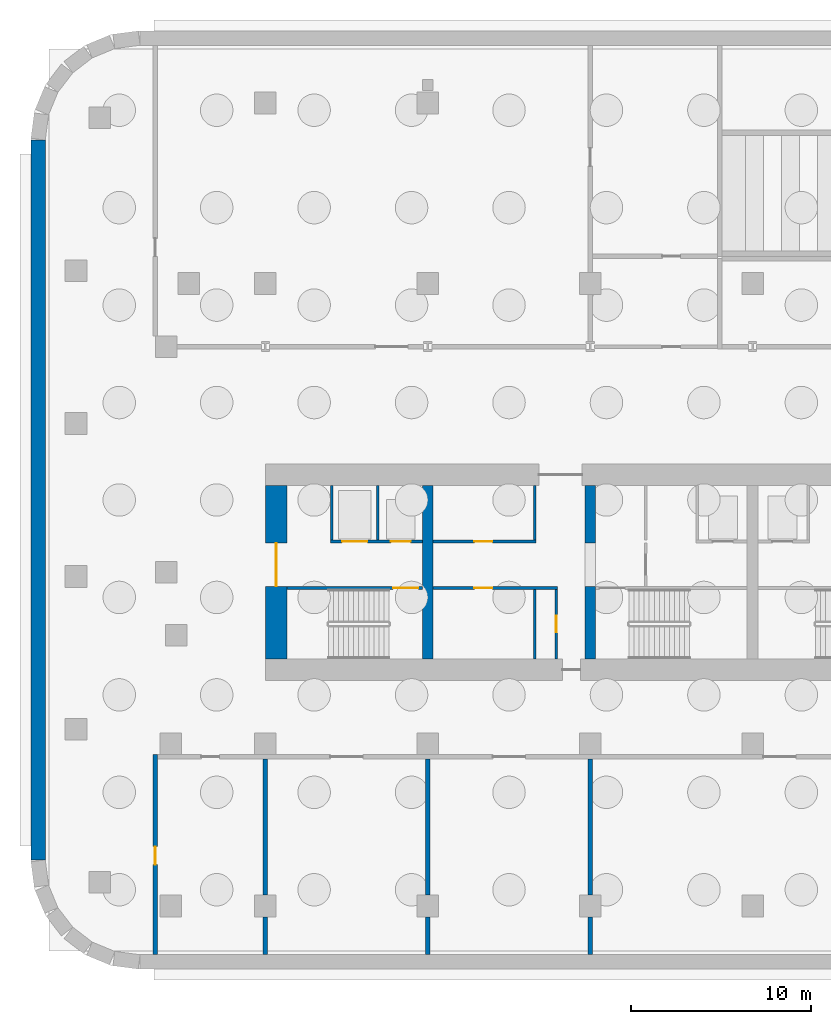
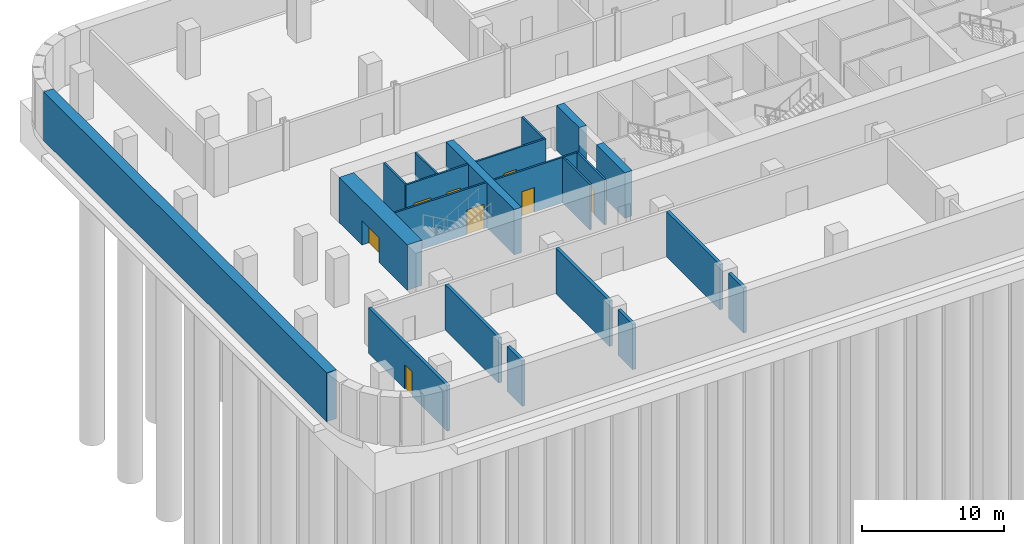
# One storey, part 3 of 8: 21 walls, 8 doors, 8 openings.
"""IFC4 building model written with IfcOpenShell, lengths in metres."""

from ifc_helpers import new_model, si_unit, direction, frame, frame_2d, origin, place, context, subcontext, project, spatial, rectangle, extrude, material, layer, layer_set, type_object, element, fill, save


model = new_model("IFC4")

# Units and contexts
model_context = context("Model", 3, precision=1e-05, world=origin(), true_north=direction((0.0, 1.0)))
body_context = subcontext(model_context, "Body", "Model", "MODEL_VIEW")
ifc_project = project(units=[si_unit("LENGTHUNIT", "METRE"), si_unit("AREAUNIT", "SQUARE_METRE"), si_unit("VOLUMEUNIT", "CUBIC_METRE"), si_unit("PLANEANGLEUNIT", "RADIAN"), si_unit("MASSUNIT", "GRAM", prefix="KILO")], contexts=[model_context])

# Site, building, storey
site_placement = place(None, origin())
site = spatial("IfcSite", under=ifc_project, at=site_placement, CompositionType="ELEMENT")
building_placement = place(site_placement, origin())
building = spatial("IfcBuilding", under=site, at=building_placement, Name="Zellij Exchange Tower", CompositionType="ELEMENT")
storey_placement = place(building_placement, frame((0.0, 0.0, -12.60009765625)))
storey = spatial("IfcBuildingStorey", under=building, at=storey_placement, Name="B3", CompositionType="ELEMENT", Elevation=-12.60009765625)

# Wall, opening, door
ifc_material_1 = material(Name="Concrete C32/40", Category="concrete")
ifc_layer_1 = layer(ifc_material_1, 0.25)
ifc_layer_set_1 = layer_set([ifc_layer_1], Name="Concrete C32/40")
wall_type_1 = type_object("IfcWallType", Name="BSM-Wall 250", PredefinedType="SOLIDWALL", material=ifc_layer_set_1)
wall_1_placement = place(storey_placement, frame((-33.10009765625, -29.199951171875, 0.0), z_axis=(0.0, 0.0, 1.0), x_axis=(0.0, 1.0, 0.0)))
wall_1 = element("IfcWall", 1, at=wall_1_placement, inside=storey, type_object=wall_type_1, Name="Partition 15", PredefinedType="SOLIDWALL", context=body_context, shape_type="SweptSolid", body=[
    extrude(rectangle(XDim=11.099853515625, YDim=0.25, at=frame_2d((5.5498046875, 0.0))), origin(), (0.0, 0.0, 1.0), 3.900146484375),
])
opening_1_placement = place(wall_1_placement, frame((4.987548828125, 0.0, 0.0)))
opening_1 = element("IfcOpeningElement", 2, at=opening_1_placement, cuts=wall_1, Name="Opening BS3.15", PredefinedType="OPENING", context=body_context, shape_type="SweptSolid", body=[
    extrude(rectangle(XDim=1.0, YDim=2.10009765625, at=frame_2d((0.5, 1.050048828125))), frame((0.0, 0.136962890625, 0.0), z_axis=(0.0, -1.0, 0.0), x_axis=(1.0, 0.0, 0.0)), (0.0, 0.0, 1.0), 0.27392578125),
])
ifc_material_2 = material(Name="Painted steel door leaf", Category="steel")
door_type_1 = type_object("IfcDoorType", Name="BSM-Door 1000x2100 FD90", OperationType="SINGLE_SWING_LEFT", PredefinedType="DOOR", material=ifc_material_2)
door_1_placement = place(opening_1_placement, origin())
door_1 = element("IfcDoor", 3, at=door_1_placement, inside=storey, type_object=door_type_1, Name="bsm.B3.door.BS3.15", OperationType="SINGLE_SWING_LEFT", OverallHeight=2.10009765625, OverallWidth=1.0, PredefinedType="DOOR", context=body_context, shape_type="SweptSolid", body=[
    extrude(rectangle(XDim=1.0, YDim=2.10009765625, at=frame_2d((0.5, 1.050048828125))), frame((0.0, 0.02490234375, 0.0), z_axis=(0.0, -1.0, 0.0), x_axis=(1.0, 0.0, 0.0)), (0.0, 0.0, 1.0), 0.050048828125),
])
fill(opening_1, door_1)

# Walls
wall_2_placement = place(storey_placement, frame((-27.0, -29.199951171875, 0.0), z_axis=(0.0, 0.0, 1.0), x_axis=(0.0, 1.0, 0.0)))
element("IfcWall", 4, at=wall_2_placement, inside=storey, type_object=wall_type_1, Name="Partition 17", PredefinedType="SOLIDWALL", context=body_context, shape_type="SweptSolid", body=[
    extrude(rectangle(XDim=2.099853515625, YDim=0.25, at=frame_2d((1.0498046875, 0.0))), origin(), (0.0, 0.0, 1.0), 3.900146484375),
])
wall_3_placement = place(storey_placement, frame((-27.0, -25.89990234375, 0.0), z_axis=(0.0, 0.0, 1.0), x_axis=(0.0, 1.0, 0.0)))
element("IfcWall", 5, at=wall_3_placement, inside=storey, type_object=wall_type_1, Name="Partition 18", PredefinedType="SOLIDWALL", context=body_context, shape_type="SweptSolid", body=[
    extrude(rectangle(XDim=7.5498046875, YDim=0.25, at=frame_2d((3.77490234375, 0.0))), origin(), (0.0, 0.0, 1.0), 3.900146484375),
])
wall_4_placement = place(storey_placement, frame((-18.0, -29.199951171875, 0.0), z_axis=(0.0, 0.0, 1.0), x_axis=(0.0, 1.0, 0.0)))
element("IfcWall", 6, at=wall_4_placement, inside=storey, type_object=wall_type_1, Name="Partition 19", PredefinedType="SOLIDWALL", context=body_context, shape_type="SweptSolid", body=[
    extrude(rectangle(XDim=2.099853515625, YDim=0.25, at=frame_2d((1.0498046875, 0.0))), origin(), (0.0, 0.0, 1.0), 3.900146484375),
])
wall_5_placement = place(storey_placement, frame((-18.0, -25.89990234375, 0.0), z_axis=(0.0, 0.0, 1.0), x_axis=(0.0, 1.0, 0.0)))
element("IfcWall", 7, at=wall_5_placement, inside=storey, type_object=wall_type_1, Name="Partition 20", PredefinedType="SOLIDWALL", context=body_context, shape_type="SweptSolid", body=[
    extrude(rectangle(XDim=7.5498046875, YDim=0.25, at=frame_2d((3.77490234375, 0.0))), origin(), (0.0, 0.0, 1.0), 3.900146484375),
])
wall_6_placement = place(storey_placement, frame((-9.0, -29.199951171875, 0.0), z_axis=(0.0, 0.0, 1.0), x_axis=(0.0, 1.0, 0.0)))
element("IfcWall", 8, at=wall_6_placement, inside=storey, type_object=wall_type_1, Name="Partition 21", PredefinedType="SOLIDWALL", context=body_context, shape_type="SweptSolid", body=[
    extrude(rectangle(XDim=2.099853515625, YDim=0.25, at=frame_2d((1.0498046875, 0.0))), origin(), (0.0, 0.0, 1.0), 3.900146484375),
])
wall_7_placement = place(storey_placement, frame((-9.0, -25.89990234375, 0.0), z_axis=(0.0, 0.0, 1.0), x_axis=(0.0, 1.0, 0.0)))
element("IfcWall", 9, at=wall_7_placement, inside=storey, type_object=wall_type_1, Name="Partition 22", PredefinedType="SOLIDWALL", context=body_context, shape_type="SweptSolid", body=[
    extrude(rectangle(XDim=7.5498046875, YDim=0.25, at=frame_2d((3.77490234375, 0.0))), origin(), (0.0, 0.0, 1.0), 3.900146484375),
])
ifc_material_3 = material(Name="Concrete C70/85", Category="concrete")
ifc_layer_2 = layer(ifc_material_3, 0.60009765625)
ifc_layer_set_2 = layer_set([ifc_layer_2], Name="Concrete C70/85")
wall_type_2 = type_object("IfcWallType", Name="CORE-CW 600 C70/85", PredefinedType="SHEAR", material=ifc_layer_set_2)
wall_8_placement = place(storey_placement, frame((-18.0, -12.800048828125, 0.0), z_axis=(0.0, 0.0, 1.0), x_axis=(0.0, 1.0, 0.0)))
element("IfcWall", 10, at=wall_8_placement, inside=storey, type_object=wall_type_2, Name="Core cross wall x -18 B3", PredefinedType="SHEAR", context=body_context, shape_type="SweptSolid", body=[
    extrude(rectangle(XDim=9.60009765625, YDim=0.60009765625, at=frame_2d((4.800048828125, 0.0))), origin(), (0.0, 0.0, 1.0), 3.900146484375),
])
wall_9_placement = place(storey_placement, frame((-9.0, -12.800048828125, 0.0), z_axis=(0.0, 0.0, 1.0), x_axis=(0.0, 1.0, 0.0)))
element("IfcWall", 11, at=wall_9_placement, inside=storey, type_object=wall_type_2, Name="Core cross wall pier x -9 a B3", PredefinedType="SHEAR", context=body_context, shape_type="SweptSolid", body=[
    extrude(rectangle(XDim=4.0, YDim=0.60009765625, at=frame_2d((2.0, 0.0))), origin(), (0.0, 0.0, 1.0), 3.900146484375),
])
wall_10_placement = place(storey_placement, frame((-9.0, -6.375, 0.0), z_axis=(0.0, 0.0, 1.0), x_axis=(0.0, 1.0, 0.0)))
element("IfcWall", 12, at=wall_10_placement, inside=storey, type_object=wall_type_2, Name="Core cross wall pier x -9 b B3", PredefinedType="SHEAR", context=body_context, shape_type="SweptSolid", body=[
    extrude(rectangle(XDim=3.175048828125, YDim=0.60009765625, at=frame_2d((1.58740234375, 0.0))), origin(), (0.0, 0.0, 1.0), 3.900146484375),
])
ifc_material_4 = material(Name="Gypsum shaft wall system")
ifc_layer_3 = layer(ifc_material_4, 0.14990234375)
ifc_layer_set_3 = layer_set([ifc_layer_3], Name="Gypsum shaft wall system")
wall_type_3 = type_object("IfcWallType", Name="CORE-PW 150 Lift shaft wall", PredefinedType="PARTITIONING", material=ifc_layer_set_3)
for number, where, z_axis, x_axis, name in (
    (13, (-20.77490234375, -6.22509765625, 0.0), (0.0, 0.0, 1.0), (0.0, 1.0, 0.0), "Lift shaft wall B3"),
    (14, (-23.324951171875, -6.22509765625, 0.0), (0.0, 0.0, 1.0), (0.0, 1.0, 0.0), "Lift shaft wall B3"),
):
    element("IfcWall", number, at=place(storey_placement, frame(where, z_axis=z_axis, x_axis=x_axis)), inside=storey, type_object=wall_type_3, Name=name, PredefinedType="PARTITIONING", context=body_context, shape_type="SweptSolid", body=[
        extrude(rectangle(XDim=3.025146484375, YDim=0.14990234375, at=frame_2d((1.5126953125, 0.0))), origin(), (0.0, 0.0, 1.0), 3.900146484375),
    ])

# Wall, openings, doors
wall_11_placement = place(storey_placement, frame((-23.39990234375, -6.300048828125, 0.0), z_axis=(0.0, 0.0, 1.0), x_axis=(1.0, 0.0, 0.0)))
wall_11 = element("IfcWall", 15, at=wall_11_placement, inside=storey, type_object=wall_type_3, Name="Lift shaft wall B3", PredefinedType="PARTITIONING", context=body_context, shape_type="SweptSolid", body=[
    extrude(rectangle(XDim=5.099853515625, YDim=0.14990234375, at=frame_2d((2.5498046875, 0.0))), origin(), (0.0, 0.0, 1.0), 3.900146484375),
])
opening_2_placement = place(wall_11_placement, frame((0.64990234375, 0.0, 0.0)))
opening_2 = element("IfcOpeningElement", 16, at=opening_2_placement, cuts=wall_11, Name="Opening CA-01.02", PredefinedType="OPENING", context=body_context, shape_type="SweptSolid", body=[
    extrude(rectangle(XDim=1.39990234375, YDim=2.10009765625, at=frame_2d((0.699951171875, 1.050048828125))), frame((0.0, 0.0869140625, 0.0), z_axis=(0.0, -1.0, 0.0), x_axis=(1.0, 0.0, 0.0)), (0.0, 0.0, 1.0), 0.173828125),
])
opening_3_placement = place(wall_11_placement, frame((3.35009765625, 0.0, 0.0)))
opening_3 = element("IfcOpeningElement", 17, at=opening_3_placement, cuts=wall_11, Name="Opening CA-01.03", PredefinedType="OPENING", context=body_context, shape_type="SweptSolid", body=[
    extrude(rectangle(XDim=1.10009765625, YDim=2.10009765625, at=frame_2d((0.550048828125, 1.050048828125))), frame((0.0, 0.0869140625, 0.0), z_axis=(0.0, -1.0, 0.0), x_axis=(1.0, 0.0, 0.0)), (0.0, 0.0, 1.0), 0.173828125),
])
ifc_material_5 = material(Name="Hollow metal fire door")
door_type_2 = type_object("IfcDoorType", Name="CORE-D LD Lift landing door 1100x2100 1.5 HR", OperationType="NOTDEFINED", PredefinedType="DOOR", material=ifc_material_5)
door_2_placement = place(opening_3_placement, origin())
door_2 = element("IfcDoor", 18, at=door_2_placement, inside=storey, type_object=door_type_2, Name="Lift landing door CA-01.03", OperationType="SLIDING_TO_LEFT", OverallHeight=2.10009765625, OverallWidth=1.10009765625, PredefinedType="DOOR", context=body_context, shape_type="SweptSolid", body=[
    extrude(rectangle(XDim=1.10009765625, YDim=2.10009765625, at=frame_2d((0.550048828125, 1.050048828125))), frame((0.0, 0.02490234375, 0.0), z_axis=(0.0, -1.0, 0.0), x_axis=(1.0, 0.0, 0.0)), (0.0, 0.0, 1.0), 0.050048828125),
])
fill(opening_3, door_2)
door_type_3 = type_object("IfcDoorType", Name="CORE-D LD2 Service lift landing door 1400x2100 1.5 HR", OperationType="NOTDEFINED", PredefinedType="DOOR", material=ifc_material_5)
door_3_placement = place(opening_2_placement, origin())
door_3 = element("IfcDoor", 19, at=door_3_placement, inside=storey, type_object=door_type_3, Name="Service lift landing door CA-01.02", OperationType="SLIDING_TO_RIGHT", OverallHeight=2.10009765625, OverallWidth=1.39990234375, PredefinedType="DOOR", context=body_context, shape_type="SweptSolid", body=[
    extrude(rectangle(XDim=1.39990234375, YDim=2.10009765625, at=frame_2d((0.699951171875, 1.050048828125))), frame((0.0, 0.02490234375, 0.0), z_axis=(0.0, -1.0, 0.0), x_axis=(1.0, 0.0, 0.0)), (0.0, 0.0, 1.0), 0.050048828125),
])
fill(opening_2, door_3)

# Wall
ifc_layer_4 = layer(ifc_material_4, 0.14990234375)
ifc_layer_set_4 = layer_set([ifc_layer_4], Name="Gypsum shaft wall system")
wall_type_4 = type_object("IfcWallType", Name="CORE-PW 150 Plant room wall", PredefinedType="PARTITIONING", material=ifc_layer_set_4)
wall_12_placement = place(storey_placement, frame((-12.074951171875, -6.22509765625, 0.0), z_axis=(0.0, 0.0, 1.0), x_axis=(0.0, 1.0, 0.0)))
element("IfcWall", 20, at=wall_12_placement, inside=storey, type_object=wall_type_4, Name="Plant room wall B3", PredefinedType="PARTITIONING", context=body_context, shape_type="SweptSolid", body=[
    extrude(rectangle(XDim=3.025146484375, YDim=0.14990234375, at=frame_2d((1.5126953125, 0.0))), origin(), (0.0, 0.0, 1.0), 3.900146484375),
])

# Wall, opening, door
wall_13_placement = place(storey_placement, frame((-10.875, -12.800048828125, 0.0), z_axis=(0.0, 0.0, 1.0), x_axis=(0.0, 1.0, 0.0)))
wall_13 = element("IfcWall", 21, at=wall_13_placement, inside=storey, type_object=wall_type_4, Name="Plant room wall B3", PredefinedType="PARTITIONING", context=body_context, shape_type="SweptSolid", body=[
    extrude(rectangle(XDim=3.85009765625, YDim=0.14990234375, at=frame_2d((1.925048828125, 0.0))), origin(), (0.0, 0.0, 1.0), 3.900146484375),
])
opening_4_placement = place(wall_13_placement, frame((1.47509765625, 0.0, 0.0)))
opening_4 = element("IfcOpeningElement", 22, at=opening_4_placement, cuts=wall_13, Name="Opening CA-01.07", PredefinedType="OPENING", context=body_context, shape_type="SweptSolid", body=[
    extrude(rectangle(XDim=0.89990234375, YDim=2.10009765625, at=frame_2d((0.449951171875, 1.050048828125))), frame((0.0, 0.0869140625, 0.0), z_axis=(0.0, -1.0, 0.0), x_axis=(1.0, 0.0, 0.0)), (0.0, 0.0, 1.0), 0.173828125),
])
door_type_4 = type_object("IfcDoorType", Name="CORE-D RD Riser door 900x2100 1.5 HR", OperationType="NOTDEFINED", PredefinedType="DOOR", material=ifc_material_5)
door_4_placement = place(opening_4_placement, origin())
door_4 = element("IfcDoor", 23, at=door_4_placement, inside=storey, type_object=door_type_4, Name="Riser door CA-01.07", OperationType="SINGLE_SWING_RIGHT", OverallHeight=2.10009765625, OverallWidth=0.89990234375, PredefinedType="DOOR", context=body_context, shape_type="SweptSolid", body=[
    extrude(rectangle(XDim=0.89990234375, YDim=2.10009765625, at=frame_2d((0.449951171875, 1.050048828125))), frame((0.0, 0.02490234375, 0.0), z_axis=(0.0, -1.0, 0.0), x_axis=(1.0, 0.0, 0.0)), (0.0, 0.0, 1.0), 0.050048828125),
])
fill(opening_4, door_4)

# Wall
wall_14_placement = place(storey_placement, frame((-12.074951171875, -12.800048828125, 0.0), z_axis=(0.0, 0.0, 1.0), x_axis=(0.0, 1.0, 0.0)))
element("IfcWall", 24, at=wall_14_placement, inside=storey, type_object=wall_type_4, Name="Plant room wall B3", PredefinedType="PARTITIONING", context=body_context, shape_type="SweptSolid", body=[
    extrude(rectangle(XDim=3.85009765625, YDim=0.14990234375, at=frame_2d((1.925048828125, 0.0))), origin(), (0.0, 0.0, 1.0), 3.900146484375),
])

# Wall, opening, door
wall_15_placement = place(storey_placement, frame((-17.699951171875, -6.300048828125, 0.0), z_axis=(0.0, 0.0, 1.0), x_axis=(1.0, 0.0, 0.0)))
wall_15 = element("IfcWall", 25, at=wall_15_placement, inside=storey, type_object=wall_type_4, Name="Plant room wall B3", PredefinedType="PARTITIONING", context=body_context, shape_type="SweptSolid", body=[
    extrude(rectangle(XDim=5.699951171875, YDim=0.14990234375, at=frame_2d((2.85009765625, 0.0))), origin(), (0.0, 0.0, 1.0), 3.900146484375),
])
opening_5_placement = place(wall_15_placement, frame((2.27490234375, 0.0, 0.0)))
opening_5 = element("IfcOpeningElement", 26, at=opening_5_placement, cuts=wall_15, Name="Opening CA-01.06", PredefinedType="OPENING", context=body_context, shape_type="SweptSolid", body=[
    extrude(rectangle(XDim=1.0, YDim=2.10009765625, at=frame_2d((0.5, 1.050048828125))), frame((0.0, 0.0869140625, 0.0), z_axis=(0.0, -1.0, 0.0), x_axis=(1.0, 0.0, 0.0)), (0.0, 0.0, 1.0), 0.173828125),
])
door_type_5 = type_object("IfcDoorType", Name="CORE-D CDA Core room door 1000x2100 1.5 HR", OperationType="NOTDEFINED", PredefinedType="DOOR", material=ifc_material_5)
door_5_placement = place(opening_5_placement, origin())
door_5 = element("IfcDoor", 27, at=door_5_placement, inside=storey, type_object=door_type_5, Name="Core room door CA-01.06", OperationType="SINGLE_SWING_LEFT", OverallHeight=2.10009765625, OverallWidth=1.0, PredefinedType="DOOR", context=body_context, shape_type="SweptSolid", body=[
    extrude(rectangle(XDim=1.0, YDim=2.10009765625, at=frame_2d((0.5, 1.050048828125))), frame((0.0, 0.02490234375, 0.0), z_axis=(0.0, -1.0, 0.0), x_axis=(1.0, 0.0, 0.0)), (0.0, 0.0, 1.0), 0.050048828125),
])
fill(opening_5, door_5)

wall_16_placement = place(storey_placement, frame((-17.699951171875, -8.875, 0.0), z_axis=(0.0, 0.0, 1.0), x_axis=(1.0, 0.0, 0.0)))
wall_16 = element("IfcWall", 28, at=wall_16_placement, inside=storey, type_object=wall_type_4, Name="Plant room wall B3", PredefinedType="PARTITIONING", context=body_context, shape_type="SweptSolid", body=[
    extrude(rectangle(XDim=6.89990234375, YDim=0.14990234375, at=frame_2d((3.449951171875, 0.0))), origin(), (0.0, 0.0, 1.0), 3.900146484375),
])
opening_6_placement = place(wall_16_placement, frame((2.27490234375, 0.0, 0.0)))
opening_6 = element("IfcOpeningElement", 29, at=opening_6_placement, cuts=wall_16, Name="Opening CA-01.05", PredefinedType="OPENING", context=body_context, shape_type="SweptSolid", body=[
    extrude(rectangle(XDim=1.0, YDim=2.10009765625, at=frame_2d((0.5, 1.050048828125))), frame((0.0, 0.0869140625, 0.0), z_axis=(0.0, -1.0, 0.0), x_axis=(1.0, 0.0, 0.0)), (0.0, 0.0, 1.0), 0.173828125),
])
door_6_placement = place(opening_6_placement, origin())
door_6 = element("IfcDoor", 30, at=door_6_placement, inside=storey, type_object=door_type_5, Name="Core room door CA-01.05", OperationType="SINGLE_SWING_RIGHT", OverallHeight=2.10009765625, OverallWidth=1.0, PredefinedType="DOOR", context=body_context, shape_type="SweptSolid", body=[
    extrude(rectangle(XDim=1.0, YDim=2.10009765625, at=frame_2d((0.5, 1.050048828125))), frame((0.0, 0.02490234375, 0.0), z_axis=(0.0, -1.0, 0.0), x_axis=(1.0, 0.0, 0.0)), (0.0, 0.0, 1.0), 0.050048828125),
])
fill(opening_6, door_6)

ifc_layer_5 = layer(ifc_material_3, 1.199951171875)
ifc_layer_set_5 = layer_set([ifc_layer_5], Name="Concrete C70/85")
wall_type_5 = type_object("IfcWallType", Name="CORE-SW 1200 C70/85", PredefinedType="SHEAR", material=ifc_layer_set_5)
wall_17_placement = place(storey_placement, frame((-26.39990234375, -12.800048828125, 0.0), z_axis=(0.0, 0.0, 1.0), x_axis=(0.0, 1.0, 0.0)))
wall_17 = element("IfcWall", 31, at=wall_17_placement, inside=storey, type_object=wall_type_5, Name="Core shear wall end w B3", PredefinedType="SHEAR", context=body_context, shape_type="SweptSolid", body=[
    extrude(rectangle(XDim=9.60009765625, YDim=1.199951171875, at=frame_2d((4.800048828125, 0.0))), origin(), (0.0, 0.0, 1.0), 3.900146484375),
])
opening_7_placement = place(wall_17_placement, frame((4.011962890625, 0.0, 0.0)))
opening_7 = element("IfcOpeningElement", 32, at=opening_7_placement, cuts=wall_17, Name="Opening CA-01.01", PredefinedType="OPENING", context=body_context, shape_type="SweptSolid", body=[
    extrude(rectangle(XDim=2.39990234375, YDim=2.10009765625, at=frame_2d((1.199951171875, 1.050048828125))), frame((0.0, 0.61181640625, 0.0), z_axis=(0.0, -1.0, 0.0), x_axis=(1.0, 0.0, 0.0)), (0.0, 0.0, 1.0), 1.223876953125),
])
door_type_6 = type_object("IfcDoorType", Name="CORE-D CE Core entrance door 2400x2100 20 MIN", OperationType="NOTDEFINED", PredefinedType="DOOR", material=ifc_material_5)
door_7_placement = place(opening_7_placement, origin())
door_7 = element("IfcDoor", 33, at=door_7_placement, inside=storey, type_object=door_type_6, Name="Core entrance door CA-01.01", OperationType="DOUBLE_DOOR_SINGLE_SWING", OverallHeight=2.10009765625, OverallWidth=2.39990234375, PredefinedType="DOOR", context=body_context, shape_type="SweptSolid", body=[
    extrude(rectangle(XDim=2.39990234375, YDim=2.10009765625, at=frame_2d((1.199951171875, 1.050048828125))), frame((0.0, 0.02490234375, 0.0), z_axis=(0.0, -1.0, 0.0), x_axis=(1.0, 0.0, 0.0)), (0.0, 0.0, 1.0), 0.050048828125),
])
fill(opening_7, door_7)

ifc_layer_6 = layer(ifc_material_3, 0.14990234375)
ifc_layer_set_6 = layer_set([ifc_layer_6], Name="Concrete C70/85")
wall_type_6 = type_object("IfcWallType", Name="CORE-SWS 150 C70/85", PredefinedType="SHEAR", material=ifc_layer_set_6)
wall_18_placement = place(storey_placement, frame((-25.800048828125, -8.875, 0.0), z_axis=(0.0, 0.0, 1.0), x_axis=(1.0, 0.0, 0.0)))
wall_18 = element("IfcWall", 34, at=wall_18_placement, inside=storey, type_object=wall_type_6, Name="Stair enclosure wall B3", PredefinedType="SHEAR", context=body_context, shape_type="SweptSolid", body=[
    extrude(rectangle(XDim=7.5, YDim=0.14990234375, at=frame_2d((3.75, 0.0))), origin(), (0.0, 0.0, 1.0), 3.900146484375),
])
opening_8_placement = place(wall_18_placement, frame((5.875, 0.0, 0.0)))
opening_8 = element("IfcOpeningElement", 35, at=opening_8_placement, cuts=wall_18, Name="Opening CA-01.04", PredefinedType="OPENING", context=body_context, shape_type="SweptSolid", body=[
    extrude(rectangle(XDim=1.39990234375, YDim=2.10009765625, at=frame_2d((0.699951171875, 1.050048828125))), frame((0.0, 0.0869140625, 0.0), z_axis=(0.0, -1.0, 0.0), x_axis=(1.0, 0.0, 0.0)), (0.0, 0.0, 1.0), 0.173828125),
])
door_type_7 = type_object("IfcDoorType", Name="CORE-D SD Stair door 1400x2100 1.5 HR", OperationType="NOTDEFINED", PredefinedType="DOOR", material=ifc_material_5)
door_8_placement = place(opening_8_placement, origin())
door_8 = element("IfcDoor", 36, at=door_8_placement, inside=storey, type_object=door_type_7, Name="Stair door CA-01.04", OperationType="DOUBLE_DOOR_SINGLE_SWING", OverallHeight=2.10009765625, OverallWidth=1.39990234375, PredefinedType="DOOR", context=body_context, shape_type="SweptSolid", body=[
    extrude(rectangle(XDim=1.39990234375, YDim=2.10009765625, at=frame_2d((0.699951171875, 1.050048828125))), frame((0.0, 0.02490234375, 0.0), z_axis=(0.0, -1.0, 0.0), x_axis=(1.0, 0.0, 0.0)), (0.0, 0.0, 1.0), 0.050048828125),
])
fill(opening_8, door_8)

# Wall
ifc_material_6 = material(Name="Concrete C40/50", Category="concrete")
ifc_layer_7 = layer(ifc_material_6, 0.800048828125)
ifc_layer_set_7 = layer_set([ifc_layer_7], Name="Concrete C40/50")
wall_type_7 = type_object("IfcWallType", Name="STR-RETAINING WALL 800 C40/50", PredefinedType="SOLIDWALL", material=ifc_layer_set_7)
wall_19_placement = place(storey_placement, frame((-39.60009765625, -23.947509765625, 0.0), z_axis=(0.0, 0.0, 1.0), x_axis=(0.0, 1.0, 0.0)))
element("IfcWall", 37, at=wall_19_placement, inside=storey, type_object=wall_type_7, Name="Retaining wall B3", PredefinedType="SOLIDWALL", context=body_context, shape_type="SweptSolid", body=[
    extrude(rectangle(XDim=39.89501953125, YDim=0.800048828125, at=frame_2d((19.947509765625, 0.0))), origin(), (0.0, 0.0, 1.0), 4.2001953125),
])

save(model, "model.ifc")
